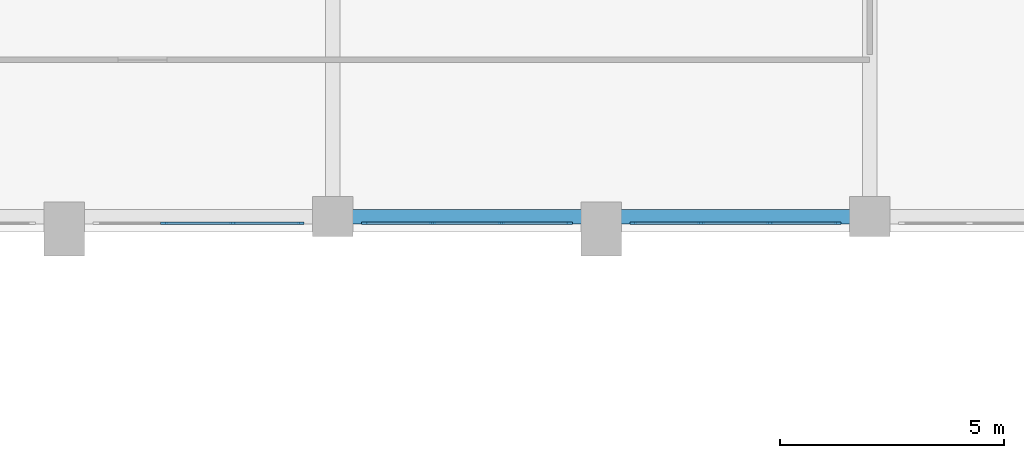
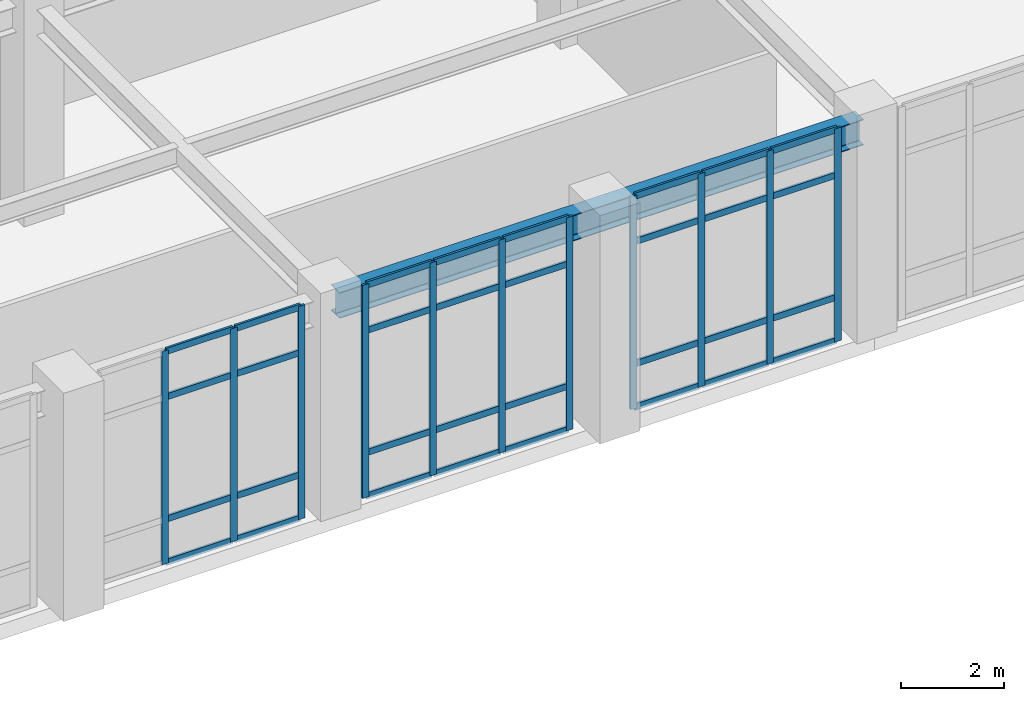
# One storey, part 80 of 159: 43 members, 1 beam, 3 elements without a shape of their own.
"""IFC4 building model written with IfcOpenShell, lengths in metres."""

from ifc_helpers import new_model, si_unit, derived_unit, direction, frame, origin, origin_2d, place, context, subcontext, project, spatial, rectangle, i_section, extrude, material, layer, layer_set, material_profile, profile_set, type_object, element, aggregate, save


model = new_model("IFC4")

# Units and contexts
model_context = context("Model", 3, precision=1e-05, world=origin(), true_north=direction((0.0, 1.0)))
body_context = subcontext(model_context, "Body", "Model", "MODEL_VIEW")
ifc_project = project(units=[si_unit("LENGTHUNIT", "METRE"), si_unit("AREAUNIT", "SQUARE_METRE"), si_unit("VOLUMEUNIT", "CUBIC_METRE"), si_unit("PLANEANGLEUNIT", "RADIAN"), si_unit("MASSUNIT", "GRAM", prefix="KILO"), derived_unit("THERMALTRANSMITTANCEUNIT", [(si_unit("MASSUNIT", "GRAM", prefix="KILO"), 1), (si_unit("TIMEUNIT", "SECOND"), -3), (si_unit("THERMODYNAMICTEMPERATUREUNIT", "KELVIN"), -1)])], contexts=[model_context])

# Site, building, storey
site_placement = place(None, origin())
site = spatial("IfcSite", under=ifc_project, at=site_placement, CompositionType="ELEMENT")
building_placement = place(site_placement, origin())
building = spatial("IfcBuilding", under=site, at=building_placement, Name="Valcora Ridge Arena", CompositionType="ELEMENT")
storey_placement = place(building_placement, frame((0.0, 0.0, 6.0)))
storey = spatial("IfcBuildingStorey", under=building, at=storey_placement, Name="L01", CompositionType="ELEMENT", Elevation=6.0)

# Beam
ifc_material_1 = material(Name="Steel ASTM A572 Grade 50", Category="steel")
ifc_material_profile_1 = material_profile(ifc_material_1, i_section(OverallWidth=0.324951171875, OverallDepth=0.612060546875, WebThickness=0.0126953125, FlangeThickness=0.01904296875, FilletRadius=0.01806640625, at=origin_2d()), Name="W24X104")
ifc_profile_set_1 = profile_set([ifc_material_profile_1], Name="Steel ASTM A572 Grade 50")
beam_type = type_object("IfcBeamType", Name="TY-BEAM-G-W24X104-X", PredefinedType="BEAM", material=ifc_profile_set_1)
beam_placement = place(storey_placement, frame((132.139892578125, 108.699951171875, 4.73388671875), z_axis=(1.0, 0.0, 0.0), x_axis=(0.0, 1.0, 0.0)))
element("IfcBeam", 1, at=beam_placement, inside=storey, type_object=beam_type, Name="G-W24X104-X BEM-G-W24X104-X-0044", PredefinedType="BEAM", context=body_context, shape_type="SweptSolid", body=[
    extrude(i_section(OverallWidth=0.324951171875, OverallDepth=0.612060546875, WebThickness=0.0126953125, FlangeThickness=0.01904296875, FilletRadius=0.01806640625, at=origin_2d()), origin(), (0.0, 0.0, 1.0), 11.72021484375),
])

# Curtain wall, members
ifc_material_2 = material(Name="Anodised dark bronze architectural aluminium 6063-T6", Category="aluminium")
ifc_layer = layer(ifc_material_2, 0.14990234375, Name="Anodised dark bronze architectural aluminium 6063-T6")
ifc_layer_set = layer_set([ifc_layer], Name="Anodised dark bronze architectural aluminium 6063-T6")
curtain_wall_type = type_object("IfcCurtainWallType", Name="TY-CURTAINWALL-CW-V5-MED-046X50", PredefinedType="NOTDEFINED", material=ifc_layer_set)
curtain_wall_1_placement = place(storey_placement, origin())
curtain_wall_1 = element("IfcCurtainWall", 2, at=curtain_wall_1_placement, inside=storey, type_object=curtain_wall_type, Name="CW-V5-MED-046X50 CW-0317", PredefinedType="NOTDEFINED")
ifc_material_profile_2 = material_profile(ifc_material_2, rectangle(XDim=0.050048828125, YDim=0.14990234375, at=origin_2d()), Name="ALU MULLION 50x150")
ifc_profile_set_2 = profile_set([ifc_material_profile_2], Name="Anodised dark bronze architectural aluminium 6063-T6")
member_type_1 = type_object("IfcMemberType", Name="TY-MEM-CWM-50x150", PredefinedType="MULLION", material=ifc_profile_set_2)
member_1_placement = place(storey_placement, frame((128.22998046875, 108.550048828125, 0.0), z_axis=(0.0, 0.0, 1.0), x_axis=(0.0, 1.0, 0.0)))
member_1 = element("IfcMember", 3, at=member_1_placement, type_object=member_type_1, Name="CW-0317/CWM-50x150/M01", PredefinedType="MULLION", context=body_context, shape_type="SweptSolid", body=[
    extrude(rectangle(XDim=0.050048828125, YDim=0.14990234375, at=origin_2d()), origin(), (0.0, 0.0, 1.0), 5.0400390625),
])
member_2_placement = place(storey_placement, frame((129.77001953125, 108.550048828125, 0.0), z_axis=(0.0, 0.0, 1.0), x_axis=(0.0, 1.0, 0.0)))
member_2 = element("IfcMember", 4, at=member_2_placement, type_object=member_type_1, Name="CW-0317/CWM-50x150/M02", PredefinedType="MULLION", context=body_context, shape_type="SweptSolid", body=[
    extrude(rectangle(XDim=0.050048828125, YDim=0.14990234375, at=origin_2d()), origin(), (0.0, 0.0, 1.0), 5.0400390625),
])
member_3_placement = place(storey_placement, frame((131.284912109375, 108.550048828125, 0.0), z_axis=(0.0, 0.0, 1.0), x_axis=(0.0, 1.0, 0.0)))
member_3 = element("IfcMember", 5, at=member_3_placement, type_object=member_type_1, Name="CW-0317/CWM-50x150/M03", PredefinedType="MULLION", context=body_context, shape_type="SweptSolid", body=[
    extrude(rectangle(XDim=0.050048828125, YDim=0.14990234375, at=origin_2d()), origin(), (0.0, 0.0, 1.0), 5.0400390625),
])

curtain_wall_2_placement = place(storey_placement, origin())
curtain_wall_2 = element("IfcCurtainWall", 6, at=curtain_wall_2_placement, inside=storey, type_object=curtain_wall_type, Name="CW-V5-MED-046X50 CW-0318", PredefinedType="NOTDEFINED")
member_4_placement = place(storey_placement, frame((132.715087890625, 108.550048828125, 0.0), z_axis=(0.0, 0.0, 1.0), x_axis=(0.0, 1.0, 0.0)))
member_4 = element("IfcMember", 7, at=member_4_placement, type_object=member_type_1, Name="CW-0318/CWM-50x150/M00", PredefinedType="MULLION", context=body_context, shape_type="SweptSolid", body=[
    extrude(rectangle(XDim=0.050048828125, YDim=0.14990234375, at=origin_2d()), origin(), (0.0, 0.0, 1.0), 5.0400390625),
])
member_5_placement = place(storey_placement, frame((134.22998046875, 108.550048828125, 0.0), z_axis=(0.0, 0.0, 1.0), x_axis=(0.0, 1.0, 0.0)))
member_5 = element("IfcMember", 8, at=member_5_placement, type_object=member_type_1, Name="CW-0318/CWM-50x150/M01", PredefinedType="MULLION", context=body_context, shape_type="SweptSolid", body=[
    extrude(rectangle(XDim=0.050048828125, YDim=0.14990234375, at=origin_2d()), origin(), (0.0, 0.0, 1.0), 5.0400390625),
])
member_6_placement = place(storey_placement, frame((135.77001953125, 108.550048828125, 0.0), z_axis=(0.0, 0.0, 1.0), x_axis=(0.0, 1.0, 0.0)))
member_6 = element("IfcMember", 9, at=member_6_placement, type_object=member_type_1, Name="CW-0318/CWM-50x150/M02", PredefinedType="MULLION", context=body_context, shape_type="SweptSolid", body=[
    extrude(rectangle(XDim=0.050048828125, YDim=0.14990234375, at=origin_2d()), origin(), (0.0, 0.0, 1.0), 5.0400390625),
])
member_7_placement = place(storey_placement, frame((137.284912109375, 108.550048828125, 0.0), z_axis=(0.0, 0.0, 1.0), x_axis=(0.0, 1.0, 0.0)))
member_7 = element("IfcMember", 10, at=member_7_placement, type_object=member_type_1, Name="CW-0318/CWM-50x150/M03", PredefinedType="MULLION", context=body_context, shape_type="SweptSolid", body=[
    extrude(rectangle(XDim=0.050048828125, YDim=0.14990234375, at=origin_2d()), origin(), (0.0, 0.0, 1.0), 5.0400390625),
])

curtain_wall_3_placement = place(storey_placement, origin())
curtain_wall_3 = element("IfcCurtainWall", 11, at=curtain_wall_3_placement, inside=storey, type_object=curtain_wall_type, Name="CW-V5-MED-046X50 CW-0319", PredefinedType="NOTDEFINED")
member_8_placement = place(storey_placement, frame((138.715087890625, 108.550048828125, 0.0), z_axis=(0.0, 0.0, 1.0), x_axis=(0.0, 1.0, 0.0)))
member_8 = element("IfcMember", 12, at=member_8_placement, type_object=member_type_1, Name="CW-0319/CWM-50x150/M00", PredefinedType="MULLION", context=body_context, shape_type="SweptSolid", body=[
    extrude(rectangle(XDim=0.050048828125, YDim=0.14990234375, at=origin_2d()), origin(), (0.0, 0.0, 1.0), 5.0400390625),
])
member_9_placement = place(storey_placement, frame((140.22998046875, 108.550048828125, 0.0), z_axis=(0.0, 0.0, 1.0), x_axis=(0.0, 1.0, 0.0)))
member_9 = element("IfcMember", 13, at=member_9_placement, type_object=member_type_1, Name="CW-0319/CWM-50x150/M01", PredefinedType="MULLION", context=body_context, shape_type="SweptSolid", body=[
    extrude(rectangle(XDim=0.050048828125, YDim=0.14990234375, at=origin_2d()), origin(), (0.0, 0.0, 1.0), 5.0400390625),
])
member_10_placement = place(storey_placement, frame((141.77001953125, 108.550048828125, 0.0), z_axis=(0.0, 0.0, 1.0), x_axis=(0.0, 1.0, 0.0)))
member_10 = element("IfcMember", 14, at=member_10_placement, type_object=member_type_1, Name="CW-0319/CWM-50x150/M02", PredefinedType="MULLION", context=body_context, shape_type="SweptSolid", body=[
    extrude(rectangle(XDim=0.050048828125, YDim=0.14990234375, at=origin_2d()), origin(), (0.0, 0.0, 1.0), 5.0400390625),
])
member_11_placement = place(storey_placement, frame((143.284912109375, 108.550048828125, 0.0), z_axis=(0.0, 0.0, 1.0), x_axis=(0.0, 1.0, 0.0)))
member_11 = element("IfcMember", 15, at=member_11_placement, type_object=member_type_1, Name="CW-0319/CWM-50x150/M03", PredefinedType="MULLION", context=body_context, shape_type="SweptSolid", body=[
    extrude(rectangle(XDim=0.050048828125, YDim=0.14990234375, at=origin_2d()), origin(), (0.0, 0.0, 1.0), 5.0400390625),
])

# Member
ifc_material_profile_3 = material_profile(ifc_material_2, rectangle(XDim=0.050048828125, YDim=0.14990234375, at=origin_2d()), Name="ALU TRANSOM 50x150")
ifc_profile_set_3 = profile_set([ifc_material_profile_3], Name="Anodised dark bronze architectural aluminium 6063-T6")
member_type_2 = type_object("IfcMemberType", Name="TY-MEM-CWT-50x150", PredefinedType="USERDEFINED", material=ifc_profile_set_3)
member_12_placement = place(storey_placement, frame((128.2548828125, 108.550048828125, 0.02490234375), z_axis=(1.0, 0.0, 0.0), x_axis=(0.0, 1.0, 0.0)))
member_12 = element("IfcMember", 16, at=member_12_placement, type_object=member_type_2, Name="CW-0317/CWT-50x150/T01-00", ObjectType="TRANSOM", PredefinedType="USERDEFINED", context=body_context, shape_type="SweptSolid", body=[
    extrude(rectangle(XDim=0.050048828125, YDim=0.14990234375, at=origin_2d()), origin(), (0.0, 0.0, 1.0), 1.490234375),
])

member_13_placement = place(storey_placement, frame((128.2548828125, 108.550048828125, 1.050048828125), z_axis=(1.0, 0.0, 0.0), x_axis=(0.0, 1.0, 0.0)))
member_13 = element("IfcMember", 17, at=member_13_placement, type_object=member_type_2, Name="CW-0317/CWT-50x150/T01-01", ObjectType="TRANSOM", PredefinedType="USERDEFINED", context=body_context, shape_type="SweptSolid", body=[
    extrude(rectangle(XDim=0.050048828125, YDim=0.14990234375, at=origin_2d()), origin(), (0.0, 0.0, 1.0), 1.490234375),
])

member_14_placement = place(storey_placement, frame((128.2548828125, 108.550048828125, 3.93994140625), z_axis=(1.0, 0.0, 0.0), x_axis=(0.0, 1.0, 0.0)))
member_14 = element("IfcMember", 18, at=member_14_placement, type_object=member_type_2, Name="CW-0317/CWT-50x150/T01-02", ObjectType="TRANSOM", PredefinedType="USERDEFINED", context=body_context, shape_type="SweptSolid", body=[
    extrude(rectangle(XDim=0.050048828125, YDim=0.14990234375, at=origin_2d()), origin(), (0.0, 0.0, 1.0), 1.490234375),
])

member_15_placement = place(storey_placement, frame((128.2548828125, 108.550048828125, 5.014892578125), z_axis=(1.0, 0.0, 0.0), x_axis=(0.0, 1.0, 0.0)))
member_15 = element("IfcMember", 19, at=member_15_placement, type_object=member_type_2, Name="CW-0317/CWT-50x150/T01-03", ObjectType="TRANSOM", PredefinedType="USERDEFINED", context=body_context, shape_type="SweptSolid", body=[
    extrude(rectangle(XDim=0.050048828125, YDim=0.14990234375, at=origin_2d()), origin(), (0.0, 0.0, 1.0), 1.490234375),
])

member_16_placement = place(storey_placement, frame((129.794921875, 108.550048828125, 0.02490234375), z_axis=(1.0, 0.0, 0.0), x_axis=(0.0, 1.0, 0.0)))
member_16 = element("IfcMember", 20, at=member_16_placement, type_object=member_type_2, Name="CW-0317/CWT-50x150/T02-00", ObjectType="TRANSOM", PredefinedType="USERDEFINED", context=body_context, shape_type="SweptSolid", body=[
    extrude(rectangle(XDim=0.050048828125, YDim=0.14990234375, at=origin_2d()), origin(), (0.0, 0.0, 1.0), 1.465087890625),
])

member_17_placement = place(storey_placement, frame((129.794921875, 108.550048828125, 1.050048828125), z_axis=(1.0, 0.0, 0.0), x_axis=(0.0, 1.0, 0.0)))
member_17 = element("IfcMember", 21, at=member_17_placement, type_object=member_type_2, Name="CW-0317/CWT-50x150/T02-01", ObjectType="TRANSOM", PredefinedType="USERDEFINED", context=body_context, shape_type="SweptSolid", body=[
    extrude(rectangle(XDim=0.050048828125, YDim=0.14990234375, at=origin_2d()), origin(), (0.0, 0.0, 1.0), 1.465087890625),
])

member_18_placement = place(storey_placement, frame((129.794921875, 108.550048828125, 3.93994140625), z_axis=(1.0, 0.0, 0.0), x_axis=(0.0, 1.0, 0.0)))
member_18 = element("IfcMember", 22, at=member_18_placement, type_object=member_type_2, Name="CW-0317/CWT-50x150/T02-02", ObjectType="TRANSOM", PredefinedType="USERDEFINED", context=body_context, shape_type="SweptSolid", body=[
    extrude(rectangle(XDim=0.050048828125, YDim=0.14990234375, at=origin_2d()), origin(), (0.0, 0.0, 1.0), 1.465087890625),
])

member_19_placement = place(storey_placement, frame((129.794921875, 108.550048828125, 5.014892578125), z_axis=(1.0, 0.0, 0.0), x_axis=(0.0, 1.0, 0.0)))
member_19 = element("IfcMember", 23, at=member_19_placement, type_object=member_type_2, Name="CW-0317/CWT-50x150/T02-03", ObjectType="TRANSOM", PredefinedType="USERDEFINED", context=body_context, shape_type="SweptSolid", body=[
    extrude(rectangle(XDim=0.050048828125, YDim=0.14990234375, at=origin_2d()), origin(), (0.0, 0.0, 1.0), 1.465087890625),
])

aggregate(curtain_wall_1, [member_1, member_2, member_3, member_12, member_13, member_14, member_15, member_16, member_17, member_18, member_19])

member_20_placement = place(storey_placement, frame((132.739990234375, 108.550048828125, 0.02490234375), z_axis=(1.0, 0.0, 0.0), x_axis=(0.0, 1.0, 0.0)))
member_20 = element("IfcMember", 24, at=member_20_placement, type_object=member_type_2, Name="CW-0318/CWT-50x150/T00-00", ObjectType="TRANSOM", PredefinedType="USERDEFINED", context=body_context, shape_type="SweptSolid", body=[
    extrude(rectangle(XDim=0.050048828125, YDim=0.14990234375, at=origin_2d()), origin(), (0.0, 0.0, 1.0), 1.465087890625),
])

member_21_placement = place(storey_placement, frame((132.739990234375, 108.550048828125, 1.050048828125), z_axis=(1.0, 0.0, 0.0), x_axis=(0.0, 1.0, 0.0)))
member_21 = element("IfcMember", 25, at=member_21_placement, type_object=member_type_2, Name="CW-0318/CWT-50x150/T00-01", ObjectType="TRANSOM", PredefinedType="USERDEFINED", context=body_context, shape_type="SweptSolid", body=[
    extrude(rectangle(XDim=0.050048828125, YDim=0.14990234375, at=origin_2d()), origin(), (0.0, 0.0, 1.0), 1.465087890625),
])

member_22_placement = place(storey_placement, frame((132.739990234375, 108.550048828125, 3.93994140625), z_axis=(1.0, 0.0, 0.0), x_axis=(0.0, 1.0, 0.0)))
member_22 = element("IfcMember", 26, at=member_22_placement, type_object=member_type_2, Name="CW-0318/CWT-50x150/T00-02", ObjectType="TRANSOM", PredefinedType="USERDEFINED", context=body_context, shape_type="SweptSolid", body=[
    extrude(rectangle(XDim=0.050048828125, YDim=0.14990234375, at=origin_2d()), origin(), (0.0, 0.0, 1.0), 1.465087890625),
])

member_23_placement = place(storey_placement, frame((132.739990234375, 108.550048828125, 5.014892578125), z_axis=(1.0, 0.0, 0.0), x_axis=(0.0, 1.0, 0.0)))
member_23 = element("IfcMember", 27, at=member_23_placement, type_object=member_type_2, Name="CW-0318/CWT-50x150/T00-03", ObjectType="TRANSOM", PredefinedType="USERDEFINED", context=body_context, shape_type="SweptSolid", body=[
    extrude(rectangle(XDim=0.050048828125, YDim=0.14990234375, at=origin_2d()), origin(), (0.0, 0.0, 1.0), 1.465087890625),
])

member_24_placement = place(storey_placement, frame((134.2548828125, 108.550048828125, 0.02490234375), z_axis=(1.0, 0.0, 0.0), x_axis=(0.0, 1.0, 0.0)))
member_24 = element("IfcMember", 28, at=member_24_placement, type_object=member_type_2, Name="CW-0318/CWT-50x150/T01-00", ObjectType="TRANSOM", PredefinedType="USERDEFINED", context=body_context, shape_type="SweptSolid", body=[
    extrude(rectangle(XDim=0.050048828125, YDim=0.14990234375, at=origin_2d()), origin(), (0.0, 0.0, 1.0), 1.490234375),
])

member_25_placement = place(storey_placement, frame((134.2548828125, 108.550048828125, 1.050048828125), z_axis=(1.0, 0.0, 0.0), x_axis=(0.0, 1.0, 0.0)))
member_25 = element("IfcMember", 29, at=member_25_placement, type_object=member_type_2, Name="CW-0318/CWT-50x150/T01-01", ObjectType="TRANSOM", PredefinedType="USERDEFINED", context=body_context, shape_type="SweptSolid", body=[
    extrude(rectangle(XDim=0.050048828125, YDim=0.14990234375, at=origin_2d()), origin(), (0.0, 0.0, 1.0), 1.490234375),
])

member_26_placement = place(storey_placement, frame((134.2548828125, 108.550048828125, 3.93994140625), z_axis=(1.0, 0.0, 0.0), x_axis=(0.0, 1.0, 0.0)))
member_26 = element("IfcMember", 30, at=member_26_placement, type_object=member_type_2, Name="CW-0318/CWT-50x150/T01-02", ObjectType="TRANSOM", PredefinedType="USERDEFINED", context=body_context, shape_type="SweptSolid", body=[
    extrude(rectangle(XDim=0.050048828125, YDim=0.14990234375, at=origin_2d()), origin(), (0.0, 0.0, 1.0), 1.490234375),
])

member_27_placement = place(storey_placement, frame((134.2548828125, 108.550048828125, 5.014892578125), z_axis=(1.0, 0.0, 0.0), x_axis=(0.0, 1.0, 0.0)))
member_27 = element("IfcMember", 31, at=member_27_placement, type_object=member_type_2, Name="CW-0318/CWT-50x150/T01-03", ObjectType="TRANSOM", PredefinedType="USERDEFINED", context=body_context, shape_type="SweptSolid", body=[
    extrude(rectangle(XDim=0.050048828125, YDim=0.14990234375, at=origin_2d()), origin(), (0.0, 0.0, 1.0), 1.490234375),
])

member_28_placement = place(storey_placement, frame((135.794921875, 108.550048828125, 0.02490234375), z_axis=(1.0, 0.0, 0.0), x_axis=(0.0, 1.0, 0.0)))
member_28 = element("IfcMember", 32, at=member_28_placement, type_object=member_type_2, Name="CW-0318/CWT-50x150/T02-00", ObjectType="TRANSOM", PredefinedType="USERDEFINED", context=body_context, shape_type="SweptSolid", body=[
    extrude(rectangle(XDim=0.050048828125, YDim=0.14990234375, at=origin_2d()), origin(), (0.0, 0.0, 1.0), 1.465087890625),
])

member_29_placement = place(storey_placement, frame((135.794921875, 108.550048828125, 1.050048828125), z_axis=(1.0, 0.0, 0.0), x_axis=(0.0, 1.0, 0.0)))
member_29 = element("IfcMember", 33, at=member_29_placement, type_object=member_type_2, Name="CW-0318/CWT-50x150/T02-01", ObjectType="TRANSOM", PredefinedType="USERDEFINED", context=body_context, shape_type="SweptSolid", body=[
    extrude(rectangle(XDim=0.050048828125, YDim=0.14990234375, at=origin_2d()), origin(), (0.0, 0.0, 1.0), 1.465087890625),
])

member_30_placement = place(storey_placement, frame((135.794921875, 108.550048828125, 3.93994140625), z_axis=(1.0, 0.0, 0.0), x_axis=(0.0, 1.0, 0.0)))
member_30 = element("IfcMember", 34, at=member_30_placement, type_object=member_type_2, Name="CW-0318/CWT-50x150/T02-02", ObjectType="TRANSOM", PredefinedType="USERDEFINED", context=body_context, shape_type="SweptSolid", body=[
    extrude(rectangle(XDim=0.050048828125, YDim=0.14990234375, at=origin_2d()), origin(), (0.0, 0.0, 1.0), 1.465087890625),
])

member_31_placement = place(storey_placement, frame((135.794921875, 108.550048828125, 5.014892578125), z_axis=(1.0, 0.0, 0.0), x_axis=(0.0, 1.0, 0.0)))
member_31 = element("IfcMember", 35, at=member_31_placement, type_object=member_type_2, Name="CW-0318/CWT-50x150/T02-03", ObjectType="TRANSOM", PredefinedType="USERDEFINED", context=body_context, shape_type="SweptSolid", body=[
    extrude(rectangle(XDim=0.050048828125, YDim=0.14990234375, at=origin_2d()), origin(), (0.0, 0.0, 1.0), 1.465087890625),
])

aggregate(curtain_wall_2, [member_4, member_5, member_6, member_7, member_20, member_21, member_22, member_23, member_24, member_25, member_26, member_27, member_28, member_29, member_30, member_31])

member_32_placement = place(storey_placement, frame((138.739990234375, 108.550048828125, 0.02490234375), z_axis=(1.0, 0.0, 0.0), x_axis=(0.0, 1.0, 0.0)))
member_32 = element("IfcMember", 36, at=member_32_placement, type_object=member_type_2, Name="CW-0319/CWT-50x150/T00-00", ObjectType="TRANSOM", PredefinedType="USERDEFINED", context=body_context, shape_type="SweptSolid", body=[
    extrude(rectangle(XDim=0.050048828125, YDim=0.14990234375, at=origin_2d()), origin(), (0.0, 0.0, 1.0), 1.465087890625),
])

member_33_placement = place(storey_placement, frame((138.739990234375, 108.550048828125, 1.050048828125), z_axis=(1.0, 0.0, 0.0), x_axis=(0.0, 1.0, 0.0)))
member_33 = element("IfcMember", 37, at=member_33_placement, type_object=member_type_2, Name="CW-0319/CWT-50x150/T00-01", ObjectType="TRANSOM", PredefinedType="USERDEFINED", context=body_context, shape_type="SweptSolid", body=[
    extrude(rectangle(XDim=0.050048828125, YDim=0.14990234375, at=origin_2d()), origin(), (0.0, 0.0, 1.0), 1.465087890625),
])

member_34_placement = place(storey_placement, frame((138.739990234375, 108.550048828125, 3.93994140625), z_axis=(1.0, 0.0, 0.0), x_axis=(0.0, 1.0, 0.0)))
member_34 = element("IfcMember", 38, at=member_34_placement, type_object=member_type_2, Name="CW-0319/CWT-50x150/T00-02", ObjectType="TRANSOM", PredefinedType="USERDEFINED", context=body_context, shape_type="SweptSolid", body=[
    extrude(rectangle(XDim=0.050048828125, YDim=0.14990234375, at=origin_2d()), origin(), (0.0, 0.0, 1.0), 1.465087890625),
])

member_35_placement = place(storey_placement, frame((138.739990234375, 108.550048828125, 5.014892578125), z_axis=(1.0, 0.0, 0.0), x_axis=(0.0, 1.0, 0.0)))
member_35 = element("IfcMember", 39, at=member_35_placement, type_object=member_type_2, Name="CW-0319/CWT-50x150/T00-03", ObjectType="TRANSOM", PredefinedType="USERDEFINED", context=body_context, shape_type="SweptSolid", body=[
    extrude(rectangle(XDim=0.050048828125, YDim=0.14990234375, at=origin_2d()), origin(), (0.0, 0.0, 1.0), 1.465087890625),
])

member_36_placement = place(storey_placement, frame((140.2548828125, 108.550048828125, 0.02490234375), z_axis=(1.0, 0.0, 0.0), x_axis=(0.0, 1.0, 0.0)))
member_36 = element("IfcMember", 40, at=member_36_placement, type_object=member_type_2, Name="CW-0319/CWT-50x150/T01-00", ObjectType="TRANSOM", PredefinedType="USERDEFINED", context=body_context, shape_type="SweptSolid", body=[
    extrude(rectangle(XDim=0.050048828125, YDim=0.14990234375, at=origin_2d()), origin(), (0.0, 0.0, 1.0), 1.490234375),
])

member_37_placement = place(storey_placement, frame((140.2548828125, 108.550048828125, 1.050048828125), z_axis=(1.0, 0.0, 0.0), x_axis=(0.0, 1.0, 0.0)))
member_37 = element("IfcMember", 41, at=member_37_placement, type_object=member_type_2, Name="CW-0319/CWT-50x150/T01-01", ObjectType="TRANSOM", PredefinedType="USERDEFINED", context=body_context, shape_type="SweptSolid", body=[
    extrude(rectangle(XDim=0.050048828125, YDim=0.14990234375, at=origin_2d()), origin(), (0.0, 0.0, 1.0), 1.490234375),
])

member_38_placement = place(storey_placement, frame((140.2548828125, 108.550048828125, 3.93994140625), z_axis=(1.0, 0.0, 0.0), x_axis=(0.0, 1.0, 0.0)))
member_38 = element("IfcMember", 42, at=member_38_placement, type_object=member_type_2, Name="CW-0319/CWT-50x150/T01-02", ObjectType="TRANSOM", PredefinedType="USERDEFINED", context=body_context, shape_type="SweptSolid", body=[
    extrude(rectangle(XDim=0.050048828125, YDim=0.14990234375, at=origin_2d()), origin(), (0.0, 0.0, 1.0), 1.490234375),
])

member_39_placement = place(storey_placement, frame((140.2548828125, 108.550048828125, 5.014892578125), z_axis=(1.0, 0.0, 0.0), x_axis=(0.0, 1.0, 0.0)))
member_39 = element("IfcMember", 43, at=member_39_placement, type_object=member_type_2, Name="CW-0319/CWT-50x150/T01-03", ObjectType="TRANSOM", PredefinedType="USERDEFINED", context=body_context, shape_type="SweptSolid", body=[
    extrude(rectangle(XDim=0.050048828125, YDim=0.14990234375, at=origin_2d()), origin(), (0.0, 0.0, 1.0), 1.490234375),
])

member_40_placement = place(storey_placement, frame((141.794921875, 108.550048828125, 0.02490234375), z_axis=(1.0, 0.0, 0.0), x_axis=(0.0, 1.0, 0.0)))
member_40 = element("IfcMember", 44, at=member_40_placement, type_object=member_type_2, Name="CW-0319/CWT-50x150/T02-00", ObjectType="TRANSOM", PredefinedType="USERDEFINED", context=body_context, shape_type="SweptSolid", body=[
    extrude(rectangle(XDim=0.050048828125, YDim=0.14990234375, at=origin_2d()), origin(), (0.0, 0.0, 1.0), 1.465087890625),
])

member_41_placement = place(storey_placement, frame((141.794921875, 108.550048828125, 1.050048828125), z_axis=(1.0, 0.0, 0.0), x_axis=(0.0, 1.0, 0.0)))
member_41 = element("IfcMember", 45, at=member_41_placement, type_object=member_type_2, Name="CW-0319/CWT-50x150/T02-01", ObjectType="TRANSOM", PredefinedType="USERDEFINED", context=body_context, shape_type="SweptSolid", body=[
    extrude(rectangle(XDim=0.050048828125, YDim=0.14990234375, at=origin_2d()), origin(), (0.0, 0.0, 1.0), 1.465087890625),
])

member_42_placement = place(storey_placement, frame((141.794921875, 108.550048828125, 3.93994140625), z_axis=(1.0, 0.0, 0.0), x_axis=(0.0, 1.0, 0.0)))
member_42 = element("IfcMember", 46, at=member_42_placement, type_object=member_type_2, Name="CW-0319/CWT-50x150/T02-02", ObjectType="TRANSOM", PredefinedType="USERDEFINED", context=body_context, shape_type="SweptSolid", body=[
    extrude(rectangle(XDim=0.050048828125, YDim=0.14990234375, at=origin_2d()), origin(), (0.0, 0.0, 1.0), 1.465087890625),
])

member_43_placement = place(storey_placement, frame((141.794921875, 108.550048828125, 5.014892578125), z_axis=(1.0, 0.0, 0.0), x_axis=(0.0, 1.0, 0.0)))
member_43 = element("IfcMember", 47, at=member_43_placement, type_object=member_type_2, Name="CW-0319/CWT-50x150/T02-03", ObjectType="TRANSOM", PredefinedType="USERDEFINED", context=body_context, shape_type="SweptSolid", body=[
    extrude(rectangle(XDim=0.050048828125, YDim=0.14990234375, at=origin_2d()), origin(), (0.0, 0.0, 1.0), 1.465087890625),
])

aggregate(curtain_wall_3, [member_8, member_9, member_10, member_11, member_32, member_33, member_34, member_35, member_36, member_37, member_38, member_39, member_40, member_41, member_42, member_43])

save(model, "model.ifc")
